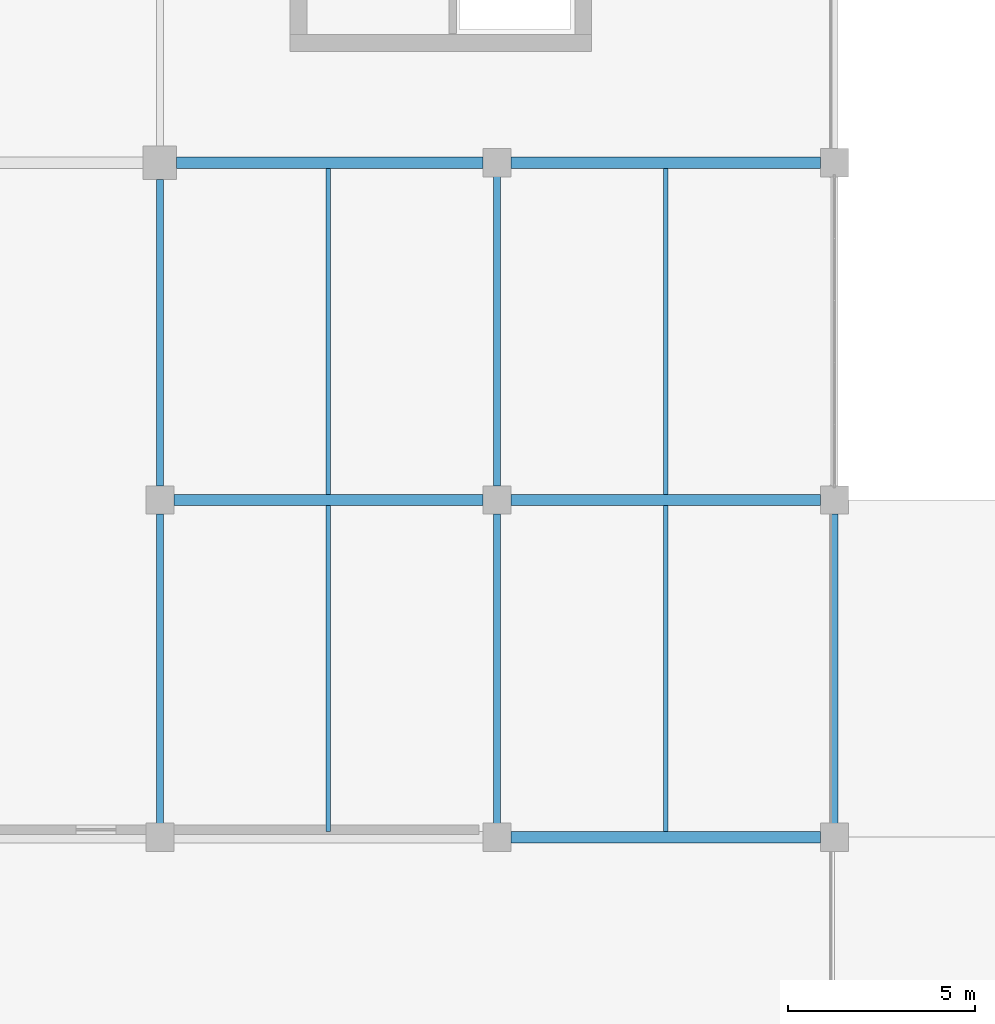
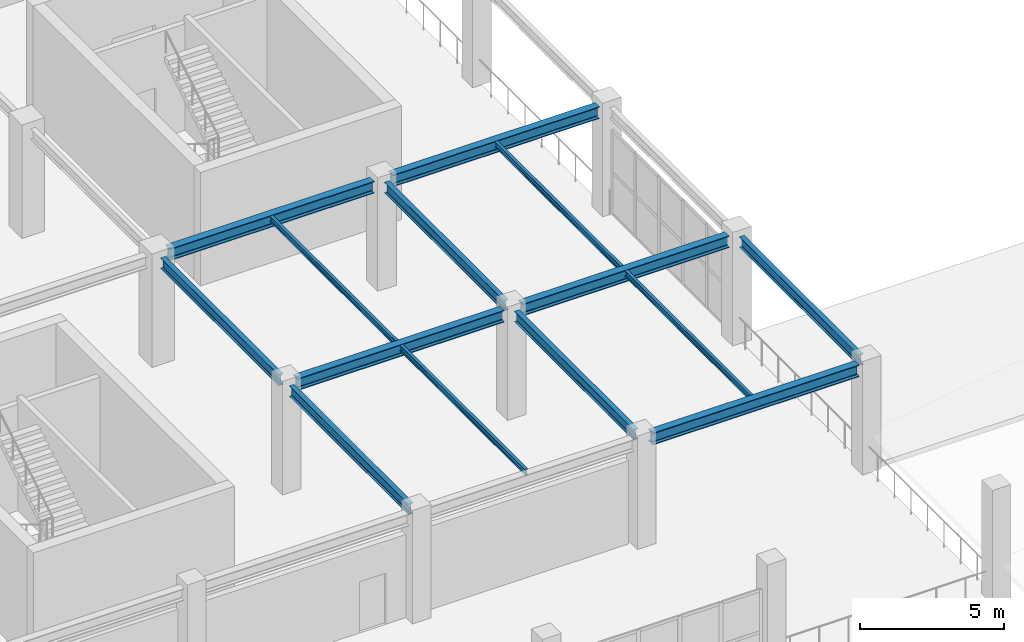
# One storey, part 20 of 89: 14 beams.
"""IFC4 building model written with IfcOpenShell, lengths in metres."""

from ifc_helpers import new_model, si_unit, direction, frame, origin, origin_2d, place, context, subcontext, project, spatial, i_section, extrude, material, material_profile, profile_set, type_object, element, save


model = new_model("IFC4")

# Units and contexts
model_context = context("Model", 3, precision=1e-05, world=origin(), true_north=direction((0.0, 1.0)))
body_context = subcontext(model_context, "Body", "Model", "MODEL_VIEW")
ifc_project = project(units=[si_unit("LENGTHUNIT", "METRE"), si_unit("AREAUNIT", "SQUARE_METRE"), si_unit("VOLUMEUNIT", "CUBIC_METRE"), si_unit("PLANEANGLEUNIT", "RADIAN"), si_unit("MASSUNIT", "GRAM", prefix="KILO")], contexts=[model_context])

# Site, building, storey
site_placement = place(None, origin())
site = spatial("IfcSite", under=ifc_project, at=site_placement, CompositionType="ELEMENT")
building_placement = place(site_placement, origin())
building = spatial("IfcBuilding", under=site, at=building_placement, Name="Dornveld Trade and Exhibition Forum", CompositionType="ELEMENT")
storey_placement = place(building_placement, frame((0.0, 0.0, 12.0)))
storey = spatial("IfcBuildingStorey", under=building, at=storey_placement, Name="L02", CompositionType="ELEMENT", Elevation=12.0)

# Beams
ifc_material_1 = material(Name="Steel S355J2", Category="steel")
ifc_material_profile_1 = material_profile(ifc_material_1, i_section(OverallWidth=0.300048828125, OverallDepth=0.5, WebThickness=0.014404296875, FlangeThickness=0.028076171875, FilletRadius=0.027099609375, at=origin_2d()), Name="HEB 500")
ifc_profile_set_1 = profile_set([ifc_material_profile_1], Name="Steel S355J2")
beam_type_1 = type_object("IfcBeamType", Name="BM-GIR-HEB500", PredefinedType="USERDEFINED", material=ifc_profile_set_1)
for number, where, z_axis, x_axis, name in (
    (1, (144.37109375, 45.0, 4.27001953125), (1.0, 0.0, 0.0), (0.0, 1.0, 0.0), "L02 X-girder 1473"),
    (2, (135.37109375, 54.0, 4.27001953125), (1.0, 0.0, 0.0), (0.0, 1.0, 0.0), "L02 X-girder 1475"),
    (3, (144.37109375, 54.0, 4.27001953125), (1.0, 0.0, 0.0), (0.0, 1.0, 0.0), "L02 X-girder 1476"),
):
    element("IfcBeam", number, at=place(storey_placement, frame(where, z_axis=z_axis, x_axis=x_axis)), inside=storey, type_object=beam_type_1, Name=name, ObjectType="GIRDER", PredefinedType="USERDEFINED", context=body_context, shape_type="SweptSolid", body=[
        extrude(i_section(OverallWidth=0.300048828125, OverallDepth=0.5, WebThickness=0.014404296875, FlangeThickness=0.028076171875, FilletRadius=0.027099609375, at=origin_2d()), origin(), (0.0, 0.0, 1.0), 8.2578125),
    ])
beam_1_placement = place(storey_placement, frame((135.446044921875, 63.0, 4.27001953125), z_axis=(1.0, 0.0, 0.0), x_axis=(0.0, 1.0, 0.0)))
element("IfcBeam", 4, at=beam_1_placement, inside=storey, type_object=beam_type_1, Name="L02 X-girder 1482", ObjectType="GIRDER", PredefinedType="USERDEFINED", context=body_context, shape_type="SweptSolid", body=[
    extrude(i_section(OverallWidth=0.300048828125, OverallDepth=0.5, WebThickness=0.014404296875, FlangeThickness=0.028076171875, FilletRadius=0.027099609375, at=origin_2d()), origin(), (0.0, 0.0, 1.0), 8.182861328125),
])
beam_2_placement = place(storey_placement, frame((144.37109375, 63.0, 4.27001953125), z_axis=(1.0, 0.0, 0.0), x_axis=(0.0, 1.0, 0.0)))
element("IfcBeam", 5, at=beam_2_placement, inside=storey, type_object=beam_type_1, Name="L02 X-girder 1483", ObjectType="GIRDER", PredefinedType="USERDEFINED", context=body_context, shape_type="SweptSolid", body=[
    extrude(i_section(OverallWidth=0.300048828125, OverallDepth=0.5, WebThickness=0.014404296875, FlangeThickness=0.028076171875, FilletRadius=0.027099609375, at=origin_2d()), origin(), (0.0, 0.0, 1.0), 8.2578125),
])
ifc_material_2 = material(Name="Steel S355J2", Category="steel")
ifc_material_profile_2 = material_profile(ifc_material_2, i_section(OverallWidth=0.1201171875, OverallDepth=0.239990234375, WebThickness=0.006103515625, FlangeThickness=0.009765625, FilletRadius=0.014892578125, at=origin_2d()), Name="IPE 240")
ifc_profile_set_2 = profile_set([ifc_material_profile_2], Name="Steel S355J2")
beam_type_2 = type_object("IfcBeamType", Name="BM-JOIST-240", PredefinedType="JOIST", material=ifc_profile_set_2)
for number, where, z_axis, x_axis, name in (
    (6, (139.5, 45.14697265625, 4.39990234375), (0.0, 1.0, 0.0), (-1.0, 0.0, 0.0), "L02 secondary joist 1540"),
    (7, (139.5, 54.14697265625, 4.39990234375), (0.0, 1.0, 0.0), (-1.0, 0.0, 0.0), "L02 secondary joist 1541"),
    (8, (148.5, 45.14697265625, 4.39990234375), (0.0, 1.0, 0.0), (-1.0, 0.0, 0.0), "L02 secondary joist 1543"),
    (9, (148.5, 54.14697265625, 4.39990234375), (0.0, 1.0, 0.0), (-1.0, 0.0, 0.0), "L02 secondary joist 1544"),
):
    element("IfcBeam", number, at=place(storey_placement, frame(where, z_axis=z_axis, x_axis=x_axis)), inside=storey, type_object=beam_type_2, Name=name, PredefinedType="JOIST", context=body_context, shape_type="SweptSolid", body=[
        extrude(i_section(OverallWidth=0.1201171875, OverallDepth=0.239990234375, WebThickness=0.006103515625, FlangeThickness=0.009765625, FilletRadius=0.014892578125, at=origin_2d()), origin(), (0.0, 0.0, 1.0), 8.7060546875),
    ])
ifc_material_3 = material(Name="Steel S355J2", Category="steel")
ifc_material_profile_3 = material_profile(ifc_material_3, i_section(OverallWidth=0.18994140625, OverallDepth=0.449951171875, WebThickness=0.009521484375, FlangeThickness=0.0146484375, FilletRadius=0.02099609375, at=origin_2d()), Name="IPE 450")
ifc_profile_set_3 = profile_set([ifc_material_profile_3], Name="Steel S355J2")
beam_type_3 = type_object("IfcBeamType", Name="BM-SEC-450", PredefinedType="BEAM", material=ifc_profile_set_3)
beam_3_placement = place(storey_placement, frame((135.0, 45.37109375, 4.294921875), z_axis=(0.0, 1.0, 0.0), x_axis=(-1.0, 0.0, 0.0)))
element("IfcBeam", 10, at=beam_3_placement, inside=storey, type_object=beam_type_3, Name="L02 Y-girder 1518", PredefinedType="BEAM", context=body_context, shape_type="SweptSolid", body=[
    extrude(i_section(OverallWidth=0.18994140625, OverallDepth=0.449951171875, WebThickness=0.009521484375, FlangeThickness=0.0146484375, FilletRadius=0.02099609375, at=origin_2d()), origin(), (0.0, 0.0, 1.0), 8.2578125),
])
beam_4_placement = place(storey_placement, frame((135.0, 54.37109375, 4.294921875), z_axis=(0.0, 1.0, 0.0), x_axis=(-1.0, 0.0, 0.0)))
element("IfcBeam", 11, at=beam_4_placement, inside=storey, type_object=beam_type_3, Name="L02 Y-girder 1519", PredefinedType="BEAM", context=body_context, shape_type="SweptSolid", body=[
    extrude(i_section(OverallWidth=0.18994140625, OverallDepth=0.449951171875, WebThickness=0.009521484375, FlangeThickness=0.0146484375, FilletRadius=0.02099609375, at=origin_2d()), origin(), (0.0, 0.0, 1.0), 8.182861328125),
])
for number, where, z_axis, x_axis, name in (
    (12, (144.0, 45.37109375, 4.294921875), (0.0, 1.0, 0.0), (-1.0, 0.0, 0.0), "L02 Y-girder 1525"),
    (13, (144.0, 54.37109375, 4.294921875), (0.0, 1.0, 0.0), (-1.0, 0.0, 0.0), "L02 Y-girder 1526"),
    (14, (153.0, 45.37109375, 4.294921875), (0.0, 1.0, 0.0), (-1.0, 0.0, 0.0), "L02 Y-girder 1528"),
):
    element("IfcBeam", number, at=place(storey_placement, frame(where, z_axis=z_axis, x_axis=x_axis)), inside=storey, type_object=beam_type_3, Name=name, PredefinedType="BEAM", context=body_context, shape_type="SweptSolid", body=[
        extrude(i_section(OverallWidth=0.18994140625, OverallDepth=0.449951171875, WebThickness=0.009521484375, FlangeThickness=0.0146484375, FilletRadius=0.02099609375, at=origin_2d()), origin(), (0.0, 0.0, 1.0), 8.2578125),
    ])

save(model, "model.ifc")
